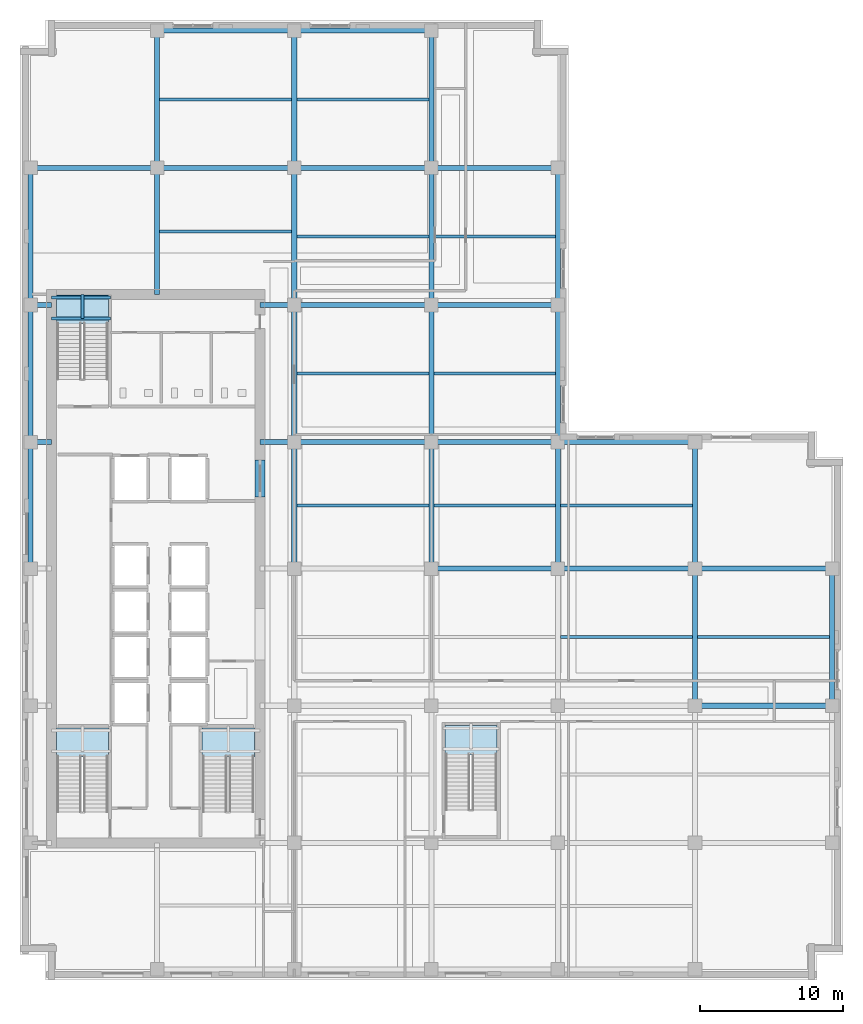
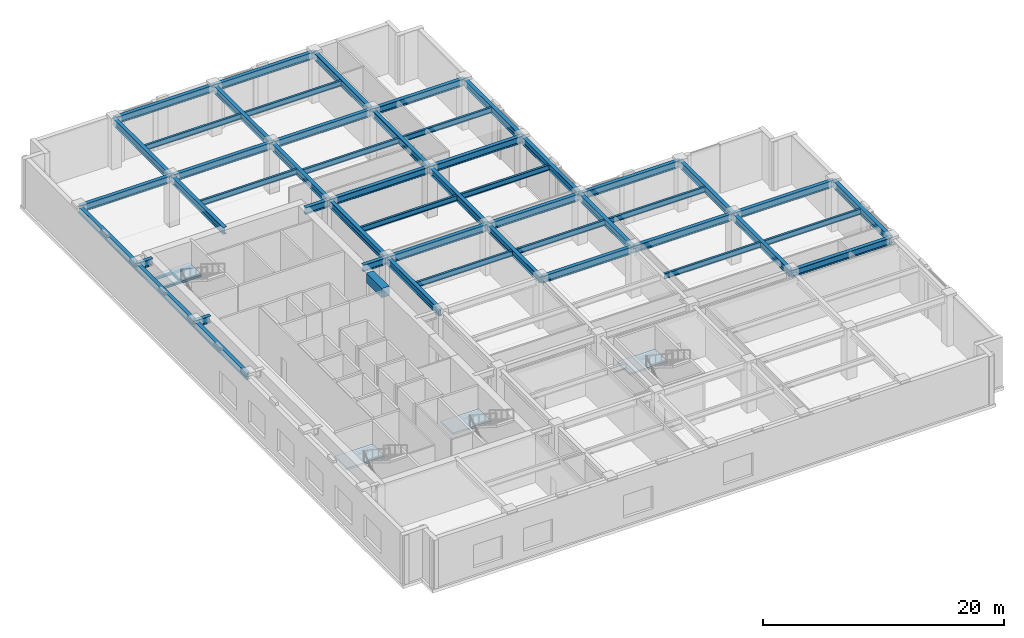
# One storey, part 2 of 18: 54 beams, 4 slabs, 4 elements without a shape of their own.
"""IFC4 building model written with IfcOpenShell, lengths in metres."""

from ifc_helpers import new_model, si_unit, direction, frame, origin, origin_2d, place, context, subcontext, project, spatial, polyline, rectangle, i_section, outline, extrude, material, layer, layer_set, material_profile, profile_set, type_object, element, aggregate, save


model = new_model("IFC4")

# Units and contexts
model_context = context("Model", 3, precision=1e-05, world=origin(), true_north=direction((0.0, 1.0)))
body_context = subcontext(model_context, "Body", "Model", "MODEL_VIEW")
ifc_project = project(units=[si_unit("LENGTHUNIT", "METRE"), si_unit("AREAUNIT", "SQUARE_METRE"), si_unit("VOLUMEUNIT", "CUBIC_METRE"), si_unit("PLANEANGLEUNIT", "RADIAN"), si_unit("MASSUNIT", "GRAM", prefix="KILO")], contexts=[model_context])

# Site, building, storey
site_placement = place(None, origin())
site = spatial("IfcSite", under=ifc_project, at=site_placement, CompositionType="ELEMENT")
building_placement = place(site_placement, origin())
building = spatial("IfcBuilding", under=site, at=building_placement, Name="Norrvale University Quadrangle", CompositionType="ELEMENT")
storey_placement = place(building_placement, frame((0.0, 0.0, 150.800048828125)))
storey = spatial("IfcBuildingStorey", under=building, at=storey_placement, Name="L38", CompositionType="ELEMENT", Elevation=150.800048828125)

# Beams
ifc_material_1 = material(Name="Steel 350W", Category="steel")
ifc_material_profile_1 = material_profile(ifc_material_1, i_section(OverallWidth=0.35498046875, OverallDepth=0.695068359375, WebThickness=0.015380859375, FlangeThickness=0.02490234375, FilletRadius=0.01806640625, at=origin_2d()), Name="Steel 350W")
ifc_profile_set_1 = profile_set([ifc_material_profile_1], Name="Steel 350W")
beam_type_1 = type_object("IfcBeamType", Name="Beam Belt W690x217", PredefinedType="BEAM", material=ifc_profile_set_1)
beam_1_placement = place(storey_placement, frame((47.25, 19.199951171875, 4.592529296875), z_axis=(1.0, 0.0, 0.0), x_axis=(0.0, 1.0, 0.0)))
element("IfcBeam", 1, at=beam_1_placement, inside=storey, type_object=beam_type_1, Name="Beam Belt W690x217 BM-L38-GX012", PredefinedType="BEAM", context=body_context, shape_type="SweptSolid", body=[
    extrude(i_section(OverallWidth=0.35498046875, OverallDepth=0.695068359375, WebThickness=0.015380859375, FlangeThickness=0.02490234375, FilletRadius=0.01806640625, at=origin_2d()), origin(), (0.0, 0.0, 1.0), 9.60009765625),
])
beam_2_placement = place(storey_placement, frame((28.800048828125, 28.800048828125, 4.592529296875), z_axis=(1.0, 0.0, 0.0), x_axis=(0.0, 1.0, 0.0)))
element("IfcBeam", 2, at=beam_2_placement, inside=storey, type_object=beam_type_1, Name="Beam Belt W690x217 BM-L38-GX014", PredefinedType="BEAM", context=body_context, shape_type="SweptSolid", body=[
    extrude(i_section(OverallWidth=0.35498046875, OverallDepth=0.695068359375, WebThickness=0.015380859375, FlangeThickness=0.02490234375, FilletRadius=0.01806640625, at=origin_2d()), origin(), (0.0, 0.0, 1.0), 8.849853515625),
])
for number, where, z_axis, x_axis, name in (
    (3, (37.64990234375, 28.800048828125, 4.592529296875), (1.0, 0.0, 0.0), (0.0, 1.0, 0.0), "Beam Belt W690x217 BM-L38-GX015"),
    (4, (47.25, 28.800048828125, 4.592529296875), (1.0, 0.0, 0.0), (0.0, 1.0, 0.0), "Beam Belt W690x217 BM-L38-GX016"),
    (5, (19.199951171875, 37.64990234375, 4.592529296875), (1.0, 0.0, 0.0), (0.0, 1.0, 0.0), "Beam Belt W690x217 BM-L38-GX017"),
):
    element("IfcBeam", number, at=place(storey_placement, frame(where, z_axis=z_axis, x_axis=x_axis)), inside=storey, type_object=beam_type_1, Name=name, PredefinedType="BEAM", context=body_context, shape_type="SweptSolid", body=[
        extrude(i_section(OverallWidth=0.35498046875, OverallDepth=0.695068359375, WebThickness=0.015380859375, FlangeThickness=0.02490234375, FilletRadius=0.01806640625, at=origin_2d()), origin(), (0.0, 0.0, 1.0), 9.60009765625),
    ])
beam_3_placement = place(storey_placement, frame((28.800048828125, 37.64990234375, 4.592529296875), z_axis=(1.0, 0.0, 0.0), x_axis=(0.0, 1.0, 0.0)))
element("IfcBeam", 6, at=beam_3_placement, inside=storey, type_object=beam_type_1, Name="Beam Belt W690x217 BM-L38-GX018", PredefinedType="BEAM", context=body_context, shape_type="SweptSolid", body=[
    extrude(i_section(OverallWidth=0.35498046875, OverallDepth=0.695068359375, WebThickness=0.015380859375, FlangeThickness=0.02490234375, FilletRadius=0.01806640625, at=origin_2d()), origin(), (0.0, 0.0, 1.0), 8.849853515625),
])
for number, where, z_axis, x_axis, name in (
    (7, (37.64990234375, 37.64990234375, 4.592529296875), (1.0, 0.0, 0.0), (0.0, 1.0, 0.0), "Beam Belt W690x217 BM-L38-GX019"),
    (8, (19.199951171875, 47.25, 4.592529296875), (1.0, 0.0, 0.0), (0.0, 1.0, 0.0), "Beam Belt W690x217 BM-L38-GX020"),
):
    element("IfcBeam", number, at=place(storey_placement, frame(where, z_axis=z_axis, x_axis=x_axis)), inside=storey, type_object=beam_type_1, Name=name, PredefinedType="BEAM", context=body_context, shape_type="SweptSolid", body=[
        extrude(i_section(OverallWidth=0.35498046875, OverallDepth=0.695068359375, WebThickness=0.015380859375, FlangeThickness=0.02490234375, FilletRadius=0.01806640625, at=origin_2d()), origin(), (0.0, 0.0, 1.0), 9.60009765625),
    ])
beam_4_placement = place(storey_placement, frame((28.800048828125, 47.25, 4.592529296875), z_axis=(1.0, 0.0, 0.0), x_axis=(0.0, 1.0, 0.0)))
element("IfcBeam", 9, at=beam_4_placement, inside=storey, type_object=beam_type_1, Name="Beam Belt W690x217 BM-L38-GX021", PredefinedType="BEAM", context=body_context, shape_type="SweptSolid", body=[
    extrude(i_section(OverallWidth=0.35498046875, OverallDepth=0.695068359375, WebThickness=0.015380859375, FlangeThickness=0.02490234375, FilletRadius=0.01806640625, at=origin_2d()), origin(), (0.0, 0.0, 1.0), 8.849853515625),
])
beam_5_placement = place(storey_placement, frame((0.75, 56.85009765625, 4.592529296875), z_axis=(1.0, 0.0, 0.0), x_axis=(0.0, 1.0, 0.0)))
element("IfcBeam", 10, at=beam_5_placement, inside=storey, type_object=beam_type_1, Name="Beam Belt W690x217 BM-L38-GX022", PredefinedType="BEAM", context=body_context, shape_type="SweptSolid", body=[
    extrude(i_section(OverallWidth=0.35498046875, OverallDepth=0.695068359375, WebThickness=0.015380859375, FlangeThickness=0.02490234375, FilletRadius=0.01806640625, at=origin_2d()), origin(), (0.0, 0.0, 1.0), 8.85009765625),
])
beam_6_placement = place(storey_placement, frame((9.60009765625, 56.85009765625, 4.592529296875), z_axis=(1.0, 0.0, 0.0), x_axis=(0.0, 1.0, 0.0)))
element("IfcBeam", 11, at=beam_6_placement, inside=storey, type_object=beam_type_1, Name="Beam Belt W690x217 BM-L38-GX023", PredefinedType="BEAM", context=body_context, shape_type="SweptSolid", body=[
    extrude(i_section(OverallWidth=0.35498046875, OverallDepth=0.695068359375, WebThickness=0.015380859375, FlangeThickness=0.02490234375, FilletRadius=0.01806640625, at=origin_2d()), origin(), (0.0, 0.0, 1.0), 9.599853515625),
])
beam_7_placement = place(storey_placement, frame((19.199951171875, 56.85009765625, 4.592529296875), z_axis=(1.0, 0.0, 0.0), x_axis=(0.0, 1.0, 0.0)))
element("IfcBeam", 12, at=beam_7_placement, inside=storey, type_object=beam_type_1, Name="Beam Belt W690x217 BM-L38-GX024", PredefinedType="BEAM", context=body_context, shape_type="SweptSolid", body=[
    extrude(i_section(OverallWidth=0.35498046875, OverallDepth=0.695068359375, WebThickness=0.015380859375, FlangeThickness=0.02490234375, FilletRadius=0.01806640625, at=origin_2d()), origin(), (0.0, 0.0, 1.0), 9.60009765625),
])
beam_8_placement = place(storey_placement, frame((28.800048828125, 56.85009765625, 4.592529296875), z_axis=(1.0, 0.0, 0.0), x_axis=(0.0, 1.0, 0.0)))
element("IfcBeam", 13, at=beam_8_placement, inside=storey, type_object=beam_type_1, Name="Beam Belt W690x217 BM-L38-GX025", PredefinedType="BEAM", context=body_context, shape_type="SweptSolid", body=[
    extrude(i_section(OverallWidth=0.35498046875, OverallDepth=0.695068359375, WebThickness=0.015380859375, FlangeThickness=0.02490234375, FilletRadius=0.01806640625, at=origin_2d()), origin(), (0.0, 0.0, 1.0), 8.849853515625),
])
beam_9_placement = place(storey_placement, frame((9.60009765625, 66.449951171875, 4.592529296875), z_axis=(1.0, 0.0, 0.0), x_axis=(0.0, 1.0, 0.0)))
element("IfcBeam", 14, at=beam_9_placement, inside=storey, type_object=beam_type_1, Name="Beam Belt W690x217 BM-L38-GX026", PredefinedType="BEAM", context=body_context, shape_type="SweptSolid", body=[
    extrude(i_section(OverallWidth=0.35498046875, OverallDepth=0.695068359375, WebThickness=0.015380859375, FlangeThickness=0.02490234375, FilletRadius=0.01806640625, at=origin_2d()), origin(), (0.0, 0.0, 1.0), 9.599853515625),
])
beam_10_placement = place(storey_placement, frame((19.199951171875, 66.449951171875, 4.592529296875), z_axis=(1.0, 0.0, 0.0), x_axis=(0.0, 1.0, 0.0)))
element("IfcBeam", 15, at=beam_10_placement, inside=storey, type_object=beam_type_1, Name="Beam Belt W690x217 BM-L38-GX027", PredefinedType="BEAM", context=body_context, shape_type="SweptSolid", body=[
    extrude(i_section(OverallWidth=0.35498046875, OverallDepth=0.695068359375, WebThickness=0.015380859375, FlangeThickness=0.02490234375, FilletRadius=0.01806640625, at=origin_2d()), origin(), (0.0, 0.0, 1.0), 9.60009765625),
])
beam_11_placement = place(storey_placement, frame((0.75, 28.800048828125, 4.592529296875), z_axis=(0.0, 1.0, 0.0), x_axis=(-1.0, 0.0, 0.0)))
element("IfcBeam", 16, at=beam_11_placement, inside=storey, type_object=beam_type_1, Name="Beam Belt W690x217 BM-L38-GY030", PredefinedType="BEAM", context=body_context, shape_type="SweptSolid", body=[
    extrude(i_section(OverallWidth=0.35498046875, OverallDepth=0.695068359375, WebThickness=0.015380859375, FlangeThickness=0.02490234375, FilletRadius=0.01806640625, at=origin_2d()), origin(), (0.0, 0.0, 1.0), 8.849853515625),
])
for number, where, z_axis, x_axis, name in (
    (17, (0.75, 37.64990234375, 4.592529296875), (0.0, 1.0, 0.0), (-1.0, 0.0, 0.0), "Beam Belt W690x217 BM-L38-GY031"),
    (18, (0.75, 47.25, 4.592529296875), (0.0, 1.0, 0.0), (-1.0, 0.0, 0.0), "Beam Belt W690x217 BM-L38-GY032"),
):
    element("IfcBeam", number, at=place(storey_placement, frame(where, z_axis=z_axis, x_axis=x_axis)), inside=storey, type_object=beam_type_1, Name=name, PredefinedType="BEAM", context=body_context, shape_type="SweptSolid", body=[
        extrude(i_section(OverallWidth=0.35498046875, OverallDepth=0.695068359375, WebThickness=0.015380859375, FlangeThickness=0.02490234375, FilletRadius=0.01806640625, at=origin_2d()), origin(), (0.0, 0.0, 1.0), 9.60009765625),
    ])
beam_12_placement = place(storey_placement, frame((9.60009765625, 56.85009765625, 4.592529296875), z_axis=(0.0, 1.0, 0.0), x_axis=(-1.0, 0.0, 0.0)))
element("IfcBeam", 19, at=beam_12_placement, inside=storey, type_object=beam_type_1, Name="Beam Belt W690x217 BM-L38-GY033", PredefinedType="BEAM", context=body_context, shape_type="SweptSolid", body=[
    extrude(i_section(OverallWidth=0.35498046875, OverallDepth=0.695068359375, WebThickness=0.015380859375, FlangeThickness=0.02490234375, FilletRadius=0.01806640625, at=origin_2d()), origin(), (0.0, 0.0, 1.0), 9.599853515625),
])
beam_13_placement = place(storey_placement, frame((19.199951171875, 28.800048828125, 4.592529296875), z_axis=(0.0, 1.0, 0.0), x_axis=(-1.0, 0.0, 0.0)))
element("IfcBeam", 20, at=beam_13_placement, inside=storey, type_object=beam_type_1, Name="Beam Belt W690x217 BM-L38-GY037", PredefinedType="BEAM", context=body_context, shape_type="SweptSolid", body=[
    extrude(i_section(OverallWidth=0.35498046875, OverallDepth=0.695068359375, WebThickness=0.015380859375, FlangeThickness=0.02490234375, FilletRadius=0.01806640625, at=origin_2d()), origin(), (0.0, 0.0, 1.0), 8.849853515625),
])
for number, where, z_axis, x_axis, name in (
    (21, (19.199951171875, 37.64990234375, 4.592529296875), (0.0, 1.0, 0.0), (-1.0, 0.0, 0.0), "Beam Belt W690x217 BM-L38-GY038"),
    (22, (19.199951171875, 47.25, 4.592529296875), (0.0, 1.0, 0.0), (-1.0, 0.0, 0.0), "Beam Belt W690x217 BM-L38-GY039"),
):
    element("IfcBeam", number, at=place(storey_placement, frame(where, z_axis=z_axis, x_axis=x_axis)), inside=storey, type_object=beam_type_1, Name=name, PredefinedType="BEAM", context=body_context, shape_type="SweptSolid", body=[
        extrude(i_section(OverallWidth=0.35498046875, OverallDepth=0.695068359375, WebThickness=0.015380859375, FlangeThickness=0.02490234375, FilletRadius=0.01806640625, at=origin_2d()), origin(), (0.0, 0.0, 1.0), 9.60009765625),
    ])
beam_14_placement = place(storey_placement, frame((19.199951171875, 56.85009765625, 4.592529296875), z_axis=(0.0, 1.0, 0.0), x_axis=(-1.0, 0.0, 0.0)))
element("IfcBeam", 23, at=beam_14_placement, inside=storey, type_object=beam_type_1, Name="Beam Belt W690x217 BM-L38-GY040", PredefinedType="BEAM", context=body_context, shape_type="SweptSolid", body=[
    extrude(i_section(OverallWidth=0.35498046875, OverallDepth=0.695068359375, WebThickness=0.015380859375, FlangeThickness=0.02490234375, FilletRadius=0.01806640625, at=origin_2d()), origin(), (0.0, 0.0, 1.0), 9.599853515625),
])
beam_15_placement = place(storey_placement, frame((28.800048828125, 28.800048828125, 4.592529296875), z_axis=(0.0, 1.0, 0.0), x_axis=(-1.0, 0.0, 0.0)))
element("IfcBeam", 24, at=beam_15_placement, inside=storey, type_object=beam_type_1, Name="Beam Belt W690x217 BM-L38-GY044", PredefinedType="BEAM", context=body_context, shape_type="SweptSolid", body=[
    extrude(i_section(OverallWidth=0.35498046875, OverallDepth=0.695068359375, WebThickness=0.015380859375, FlangeThickness=0.02490234375, FilletRadius=0.01806640625, at=origin_2d()), origin(), (0.0, 0.0, 1.0), 8.849853515625),
])
for number, where, z_axis, x_axis, name in (
    (25, (28.800048828125, 37.64990234375, 4.592529296875), (0.0, 1.0, 0.0), (-1.0, 0.0, 0.0), "Beam Belt W690x217 BM-L38-GY045"),
    (26, (28.800048828125, 47.25, 4.592529296875), (0.0, 1.0, 0.0), (-1.0, 0.0, 0.0), "Beam Belt W690x217 BM-L38-GY046"),
):
    element("IfcBeam", number, at=place(storey_placement, frame(where, z_axis=z_axis, x_axis=x_axis)), inside=storey, type_object=beam_type_1, Name=name, PredefinedType="BEAM", context=body_context, shape_type="SweptSolid", body=[
        extrude(i_section(OverallWidth=0.35498046875, OverallDepth=0.695068359375, WebThickness=0.015380859375, FlangeThickness=0.02490234375, FilletRadius=0.01806640625, at=origin_2d()), origin(), (0.0, 0.0, 1.0), 9.60009765625),
    ])
beam_16_placement = place(storey_placement, frame((28.800048828125, 56.85009765625, 4.592529296875), z_axis=(0.0, 1.0, 0.0), x_axis=(-1.0, 0.0, 0.0)))
element("IfcBeam", 27, at=beam_16_placement, inside=storey, type_object=beam_type_1, Name="Beam Belt W690x217 BM-L38-GY047", PredefinedType="BEAM", context=body_context, shape_type="SweptSolid", body=[
    extrude(i_section(OverallWidth=0.35498046875, OverallDepth=0.695068359375, WebThickness=0.015380859375, FlangeThickness=0.02490234375, FilletRadius=0.01806640625, at=origin_2d()), origin(), (0.0, 0.0, 1.0), 9.599853515625),
])
beam_17_placement = place(storey_placement, frame((37.64990234375, 28.800048828125, 4.592529296875), z_axis=(0.0, 1.0, 0.0), x_axis=(-1.0, 0.0, 0.0)))
element("IfcBeam", 28, at=beam_17_placement, inside=storey, type_object=beam_type_1, Name="Beam Belt W690x217 BM-L38-GY051", PredefinedType="BEAM", context=body_context, shape_type="SweptSolid", body=[
    extrude(i_section(OverallWidth=0.35498046875, OverallDepth=0.695068359375, WebThickness=0.015380859375, FlangeThickness=0.02490234375, FilletRadius=0.01806640625, at=origin_2d()), origin(), (0.0, 0.0, 1.0), 8.849853515625),
])
for number, where, z_axis, x_axis, name in (
    (29, (37.64990234375, 37.64990234375, 4.592529296875), (0.0, 1.0, 0.0), (-1.0, 0.0, 0.0), "Beam Belt W690x217 BM-L38-GY052"),
    (30, (37.64990234375, 47.25, 4.592529296875), (0.0, 1.0, 0.0), (-1.0, 0.0, 0.0), "Beam Belt W690x217 BM-L38-GY053"),
    (31, (47.25, 19.199951171875, 4.592529296875), (0.0, 1.0, 0.0), (-1.0, 0.0, 0.0), "Beam Belt W690x217 BM-L38-GY056"),
):
    element("IfcBeam", number, at=place(storey_placement, frame(where, z_axis=z_axis, x_axis=x_axis)), inside=storey, type_object=beam_type_1, Name=name, PredefinedType="BEAM", context=body_context, shape_type="SweptSolid", body=[
        extrude(i_section(OverallWidth=0.35498046875, OverallDepth=0.695068359375, WebThickness=0.015380859375, FlangeThickness=0.02490234375, FilletRadius=0.01806640625, at=origin_2d()), origin(), (0.0, 0.0, 1.0), 9.60009765625),
    ])
beam_18_placement = place(storey_placement, frame((47.25, 28.800048828125, 4.592529296875), z_axis=(0.0, 1.0, 0.0), x_axis=(-1.0, 0.0, 0.0)))
element("IfcBeam", 32, at=beam_18_placement, inside=storey, type_object=beam_type_1, Name="Beam Belt W690x217 BM-L38-GY057", PredefinedType="BEAM", context=body_context, shape_type="SweptSolid", body=[
    extrude(i_section(OverallWidth=0.35498046875, OverallDepth=0.695068359375, WebThickness=0.015380859375, FlangeThickness=0.02490234375, FilletRadius=0.01806640625, at=origin_2d()), origin(), (0.0, 0.0, 1.0), 8.849853515625),
])
beam_19_placement = place(storey_placement, frame((56.85009765625, 19.199951171875, 4.592529296875), z_axis=(0.0, 1.0, 0.0), x_axis=(-1.0, 0.0, 0.0)))
element("IfcBeam", 33, at=beam_19_placement, inside=storey, type_object=beam_type_1, Name="Beam Belt W690x217 BM-L38-GY059", PredefinedType="BEAM", context=body_context, shape_type="SweptSolid", body=[
    extrude(i_section(OverallWidth=0.35498046875, OverallDepth=0.695068359375, WebThickness=0.015380859375, FlangeThickness=0.02490234375, FilletRadius=0.01806640625, at=origin_2d()), origin(), (0.0, 0.0, 1.0), 9.60009765625),
])
beam_20_placement = place(storey_placement, frame((0.75, 37.64990234375, 4.592529296875), z_axis=(1.0, 0.0, 0.0), x_axis=(0.0, 1.0, 0.0)))
element("IfcBeam", 34, at=beam_20_placement, inside=storey, type_object=beam_type_1, Name="Beam Belt W690x217 BM-L38-GCW066", PredefinedType="BEAM", context=body_context, shape_type="SweptSolid", body=[
    extrude(i_section(OverallWidth=0.35498046875, OverallDepth=0.695068359375, WebThickness=0.015380859375, FlangeThickness=0.02490234375, FilletRadius=0.01806640625, at=origin_2d()), origin(), (0.0, 0.0, 1.0), 1.449951171875),
])
beam_21_placement = place(storey_placement, frame((16.800048828125, 37.64990234375, 4.592529296875), z_axis=(1.0, 0.0, 0.0), x_axis=(0.0, 1.0, 0.0)))
element("IfcBeam", 35, at=beam_21_placement, inside=storey, type_object=beam_type_1, Name="Beam Belt W690x217 BM-L38-GCE067", PredefinedType="BEAM", context=body_context, shape_type="SweptSolid", body=[
    extrude(i_section(OverallWidth=0.35498046875, OverallDepth=0.695068359375, WebThickness=0.015380859375, FlangeThickness=0.02490234375, FilletRadius=0.01806640625, at=origin_2d()), origin(), (0.0, 0.0, 1.0), 2.39990234375),
])
beam_22_placement = place(storey_placement, frame((0.75, 47.25, 4.592529296875), z_axis=(1.0, 0.0, 0.0), x_axis=(0.0, 1.0, 0.0)))
element("IfcBeam", 36, at=beam_22_placement, inside=storey, type_object=beam_type_1, Name="Beam Belt W690x217 BM-L38-GCW068", PredefinedType="BEAM", context=body_context, shape_type="SweptSolid", body=[
    extrude(i_section(OverallWidth=0.35498046875, OverallDepth=0.695068359375, WebThickness=0.015380859375, FlangeThickness=0.02490234375, FilletRadius=0.01806640625, at=origin_2d()), origin(), (0.0, 0.0, 1.0), 1.449951171875),
])
beam_23_placement = place(storey_placement, frame((16.800048828125, 47.25, 4.592529296875), z_axis=(1.0, 0.0, 0.0), x_axis=(0.0, 1.0, 0.0)))
element("IfcBeam", 37, at=beam_23_placement, inside=storey, type_object=beam_type_1, Name="Beam Belt W690x217 BM-L38-GCE069", PredefinedType="BEAM", context=body_context, shape_type="SweptSolid", body=[
    extrude(i_section(OverallWidth=0.35498046875, OverallDepth=0.695068359375, WebThickness=0.015380859375, FlangeThickness=0.02490234375, FilletRadius=0.01806640625, at=origin_2d()), origin(), (0.0, 0.0, 1.0), 2.39990234375),
])
beam_24_placement = place(storey_placement, frame((9.60009765625, 48.0, 4.592529296875), z_axis=(0.0, 1.0, 0.0), x_axis=(-1.0, 0.0, 0.0)))
element("IfcBeam", 38, at=beam_24_placement, inside=storey, type_object=beam_type_1, Name="Beam Belt W690x217 BM-L38-GCN091", PredefinedType="BEAM", context=body_context, shape_type="SweptSolid", body=[
    extrude(i_section(OverallWidth=0.35498046875, OverallDepth=0.695068359375, WebThickness=0.015380859375, FlangeThickness=0.02490234375, FilletRadius=0.01806640625, at=origin_2d()), origin(), (0.0, 0.0, 1.0), 8.85009765625),
])
ifc_material_2 = material(Name="Concrete C80/95", Category="concrete")
ifc_material_profile_2 = material_profile(ifc_material_2, rectangle(XDim=0.699951171875, YDim=0.949951171875, at=origin_2d()), Name="Concrete C80/95")
ifc_profile_set_2 = profile_set([ifc_material_profile_2], Name="Concrete C80/95")
beam_type_2 = type_object("IfcBeamType", Name="Beam Core Link 700x950", PredefinedType="LINTEL", material=ifc_profile_set_2)
beam_25_placement = place(storey_placement, frame((16.800048828125, 33.800048828125, 4.46484375), z_axis=(0.0, 1.0, 0.0), x_axis=(-1.0, 0.0, 0.0)))
element("IfcBeam", 39, at=beam_25_placement, inside=storey, type_object=beam_type_2, Name="Core Coupling Lintel Beam L38-2", PredefinedType="LINTEL", context=body_context, shape_type="SweptSolid", body=[
    extrude(rectangle(XDim=0.699951171875, YDim=0.949951171875, at=origin_2d()), origin(), (0.0, 0.0, 1.0), 2.599853515625),
])
ifc_material_profile_3 = material_profile(ifc_material_1, i_section(OverallWidth=0.2119140625, OverallDepth=0.5439453125, WebThickness=0.01318359375, FlangeThickness=0.021240234375, FilletRadius=0.013916015625, at=origin_2d()), Name="Steel 350W")
ifc_profile_set_3 = profile_set([ifc_material_profile_3], Name="Steel 350W")
beam_type_3 = type_object("IfcBeamType", Name="Beam Floor W530x123", PredefinedType="BEAM", material=ifc_profile_set_3)
beam_26_placement = place(storey_placement, frame((9.777587890625, 61.64990234375, 4.66796875), z_axis=(1.0, 0.0, 0.0), x_axis=(0.0, 1.0, 0.0)))
element("IfcBeam", 40, at=beam_26_placement, inside=storey, type_object=beam_type_3, Name="Beam Floor W530x123 BM-L38-J070", PredefinedType="BEAM", context=body_context, shape_type="SweptSolid", body=[
    extrude(i_section(OverallWidth=0.2119140625, OverallDepth=0.5439453125, WebThickness=0.01318359375, FlangeThickness=0.021240234375, FilletRadius=0.013916015625, at=origin_2d()), origin(), (0.0, 0.0, 1.0), 9.244873046875),
])
for number, where, z_axis, x_axis, name in (
    (41, (19.37744140625, 33.22509765625, 4.66796875), (1.0, 0.0, 0.0), (0.0, 1.0, 0.0), "Beam Floor W530x123 BM-L38-J074"),
    (42, (19.37744140625, 42.449951171875, 4.66796875), (1.0, 0.0, 0.0), (0.0, 1.0, 0.0), "Beam Floor W530x123 BM-L38-J075"),
    (43, (19.37744140625, 52.050048828125, 4.66796875), (1.0, 0.0, 0.0), (0.0, 1.0, 0.0), "Beam Floor W530x123 BM-L38-J076"),
    (44, (19.37744140625, 61.64990234375, 4.66796875), (1.0, 0.0, 0.0), (0.0, 1.0, 0.0), "Beam Floor W530x123 BM-L38-J077"),
):
    element("IfcBeam", number, at=place(storey_placement, frame(where, z_axis=z_axis, x_axis=x_axis)), inside=storey, type_object=beam_type_3, Name=name, PredefinedType="BEAM", context=body_context, shape_type="SweptSolid", body=[
        extrude(i_section(OverallWidth=0.2119140625, OverallDepth=0.5439453125, WebThickness=0.01318359375, FlangeThickness=0.021240234375, FilletRadius=0.013916015625, at=origin_2d()), origin(), (0.0, 0.0, 1.0), 9.2451171875),
    ])
for number, where, z_axis, x_axis, name in (
    (45, (28.9775390625, 33.22509765625, 4.66796875), (1.0, 0.0, 0.0), (0.0, 1.0, 0.0), "Beam Floor W530x123 BM-L38-J080"),
    (46, (28.9775390625, 42.449951171875, 4.66796875), (1.0, 0.0, 0.0), (0.0, 1.0, 0.0), "Beam Floor W530x123 BM-L38-J081"),
    (47, (28.9775390625, 52.050048828125, 4.66796875), (1.0, 0.0, 0.0), (0.0, 1.0, 0.0), "Beam Floor W530x123 BM-L38-J082"),
):
    element("IfcBeam", number, at=place(storey_placement, frame(where, z_axis=z_axis, x_axis=x_axis)), inside=storey, type_object=beam_type_3, Name=name, PredefinedType="BEAM", context=body_context, shape_type="SweptSolid", body=[
        extrude(i_section(OverallWidth=0.2119140625, OverallDepth=0.5439453125, WebThickness=0.01318359375, FlangeThickness=0.021240234375, FilletRadius=0.013916015625, at=origin_2d()), origin(), (0.0, 0.0, 1.0), 8.494873046875),
    ])
for number, where, z_axis, x_axis, name in (
    (48, (37.827392578125, 24.0, 4.66796875), (1.0, 0.0, 0.0), (0.0, 1.0, 0.0), "Beam Floor W530x123 BM-L38-J085"),
    (49, (37.827392578125, 33.22509765625, 4.66796875), (1.0, 0.0, 0.0), (0.0, 1.0, 0.0), "Beam Floor W530x123 BM-L38-J086"),
    (50, (47.427490234375, 24.0, 4.66796875), (1.0, 0.0, 0.0), (0.0, 1.0, 0.0), "Beam Floor W530x123 BM-L38-J088"),
):
    element("IfcBeam", number, at=place(storey_placement, frame(where, z_axis=z_axis, x_axis=x_axis)), inside=storey, type_object=beam_type_3, Name=name, PredefinedType="BEAM", context=body_context, shape_type="SweptSolid", body=[
        extrude(i_section(OverallWidth=0.2119140625, OverallDepth=0.5439453125, WebThickness=0.01318359375, FlangeThickness=0.021240234375, FilletRadius=0.013916015625, at=origin_2d()), origin(), (0.0, 0.0, 1.0), 9.2451171875),
    ])
beam_27_placement = place(storey_placement, frame((9.777587890625, 52.39990234375, 4.66796875), z_axis=(1.0, 0.0, 0.0), x_axis=(0.0, 1.0, 0.0)))
element("IfcBeam", 51, at=beam_27_placement, inside=storey, type_object=beam_type_3, Name="Beam Floor W530x123 BM-L38-JCN092", PredefinedType="BEAM", context=body_context, shape_type="SweptSolid", body=[
    extrude(i_section(OverallWidth=0.2119140625, OverallDepth=0.5439453125, WebThickness=0.01318359375, FlangeThickness=0.021240234375, FilletRadius=0.013916015625, at=origin_2d()), origin(), (0.0, 0.0, 1.0), 9.244873046875),
])
ifc_material_profile_4 = material_profile(ifc_material_1, i_section(OverallWidth=0.201904296875, OverallDepth=0.2470703125, WebThickness=0.00732421875, FlangeThickness=0.010986328125, FilletRadius=0.011962890625, at=origin_2d()), Name="Steel 350W")
ifc_profile_set_4 = profile_set([ifc_material_profile_4], Name="Steel 350W")
beam_type_4 = type_object("IfcBeamType", Name="Beam Stair W250x49", PredefinedType="BEAM", material=ifc_profile_set_4)
for number, where, z_axis, x_axis, name in (
    (52, (2.199951171875, 46.31005859375, 2.2763671875), (1.0, 0.0, 0.0), (0.0, 1.0, 0.0), "Stair Mid-Landing Front Beam ST-02 L38"),
    (53, (2.199951171875, 47.77001953125, 2.2763671875), (1.0, 0.0, 0.0), (0.0, 1.0, 0.0), "Stair Mid-Landing Rear Beam ST-02 L38"),
):
    element("IfcBeam", number, at=place(storey_placement, frame(where, z_axis=z_axis, x_axis=x_axis)), inside=storey, type_object=beam_type_4, Name=name, PredefinedType="BEAM", context=body_context, shape_type="SweptSolid", body=[
        extrude(i_section(OverallWidth=0.201904296875, OverallDepth=0.2470703125, WebThickness=0.00732421875, FlangeThickness=0.010986328125, FilletRadius=0.011962890625, at=origin_2d()), origin(), (0.0, 0.0, 1.0), 4.14013671875),
    ])
ifc_material_profile_5 = material_profile(ifc_material_1, i_section(OverallWidth=0.202880859375, OverallDepth=0.202880859375, WebThickness=0.007080078125, FlangeThickness=0.010986328125, FilletRadius=0.010009765625, at=origin_2d()), Name="Steel 350W")
ifc_profile_set_5 = profile_set([ifc_material_profile_5], Name="Steel 350W")
beam_type_5 = type_object("IfcBeamType", Name="Beam Trim W200x46", PredefinedType="BEAM", material=ifc_profile_set_5)
beam_28_placement = place(storey_placement, frame((4.375, 46.31005859375, 2.29833984375), z_axis=(0.0, 1.0, 0.0), x_axis=(-1.0, 0.0, 0.0)))
element("IfcBeam", 54, at=beam_28_placement, inside=storey, type_object=beam_type_5, Name="Stair Mid-Landing Cross Beam ST-02 L38", PredefinedType="BEAM", context=body_context, shape_type="SweptSolid", body=[
    extrude(i_section(OverallWidth=0.202880859375, OverallDepth=0.202880859375, WebThickness=0.007080078125, FlangeThickness=0.010986328125, FilletRadius=0.010009765625, at=origin_2d()), origin(), (0.0, 0.0, 1.0), 1.68994140625),
])

# Stair, slab
ifc_material_3 = material(Name="Concrete C40/50", Category="concrete")
stair_type = type_object("IfcStairType", Name="Stair Tower Tall 5200", PredefinedType="TWO_STRAIGHT_RUN_STAIR", material=ifc_material_3)
stair_1_placement = place(storey_placement, origin())
stair_1 = element("IfcStair", 55, at=stair_1_placement, inside=storey, type_object=stair_type, Name="Exit Stair ST-01 L38", PredefinedType="TWO_STRAIGHT_RUN_STAIR")
ifc_layer = layer(ifc_material_3, 0.199951171875, Name="Concrete C40/50")
ifc_layer_set = layer_set([ifc_layer], Name="Concrete C40/50")
slab_type = type_object("IfcSlabType", Name="Slab Landing 200", PredefinedType="LANDING", material=ifc_layer_set)
slab_1_placement = place(storey_placement, frame((0.0, 0.0, 2.39990234375)))
slab_1 = element("IfcSlab", 56, at=slab_1_placement, type_object=slab_type, Name="Exit Stair ST-01 L38 Mid Landing", PredefinedType="LANDING", context=body_context, shape_type="SweptSolid", body=[
    extrude(outline(polyline([(2.550048828125, 15.610107421875), (6.199951171875, 15.610107421875), (6.199951171875, 17.64990234375), (2.550048828125, 17.64990234375), (2.550048828125, 15.610107421875)])), origin(), (0.0, 0.0, 1.0), 0.199951171875),
])
aggregate(stair_1, [slab_1])

stair_2_placement = place(storey_placement, origin())
stair_2 = element("IfcStair", 57, at=stair_2_placement, inside=storey, type_object=stair_type, Name="Exit Stair ST-02 L38", PredefinedType="TWO_STRAIGHT_RUN_STAIR")
slab_2_placement = place(storey_placement, frame((0.0, 0.0, 2.39990234375)))
slab_2 = element("IfcSlab", 58, at=slab_2_placement, type_object=slab_type, Name="Exit Stair ST-02 L38 Mid Landing", PredefinedType="LANDING", context=body_context, shape_type="SweptSolid", body=[
    extrude(outline(polyline([(2.550048828125, 45.909912109375), (6.199951171875, 45.909912109375), (6.199951171875, 47.949951171875), (2.550048828125, 47.949951171875), (2.550048828125, 45.909912109375)])), origin(), (0.0, 0.0, 1.0), 0.199951171875),
])
aggregate(stair_2, [slab_2])

stair_3_placement = place(storey_placement, origin())
stair_3 = element("IfcStair", 59, at=stair_3_placement, inside=storey, type_object=stair_type, Name="Exit Stair ST-03 L38", PredefinedType="TWO_STRAIGHT_RUN_STAIR")
slab_3_placement = place(storey_placement, frame((0.0, 0.0, 2.39990234375)))
slab_3 = element("IfcSlab", 60, at=slab_3_placement, type_object=slab_type, Name="Exit Stair ST-03 L38 Mid Landing", PredefinedType="LANDING", context=body_context, shape_type="SweptSolid", body=[
    extrude(outline(polyline([(12.75, 15.610107421875), (16.39990234375, 15.610107421875), (16.39990234375, 17.64990234375), (12.75, 17.64990234375), (12.75, 15.610107421875)])), origin(), (0.0, 0.0, 1.0), 0.199951171875),
])
aggregate(stair_3, [slab_3])

stair_4_placement = place(storey_placement, origin())
stair_4 = element("IfcStair", 61, at=stair_4_placement, inside=storey, type_object=stair_type, Name="Exit Stair ST-04 L38", PredefinedType="TWO_STRAIGHT_RUN_STAIR")
slab_4_placement = place(storey_placement, frame((0.0, 0.0, 2.39990234375)))
slab_4 = element("IfcSlab", 62, at=slab_4_placement, type_object=slab_type, Name="Exit Stair ST-04 L38 Mid Landing", PredefinedType="LANDING", context=body_context, shape_type="SweptSolid", body=[
    extrude(outline(polyline([(29.75, 15.760009765625), (33.39990234375, 15.760009765625), (33.39990234375, 17.800048828125), (29.75, 17.800048828125), (29.75, 15.760009765625)])), origin(), (0.0, 0.0, 1.0), 0.199951171875),
])
aggregate(stair_4, [slab_4])

save(model, "model.ifc")
